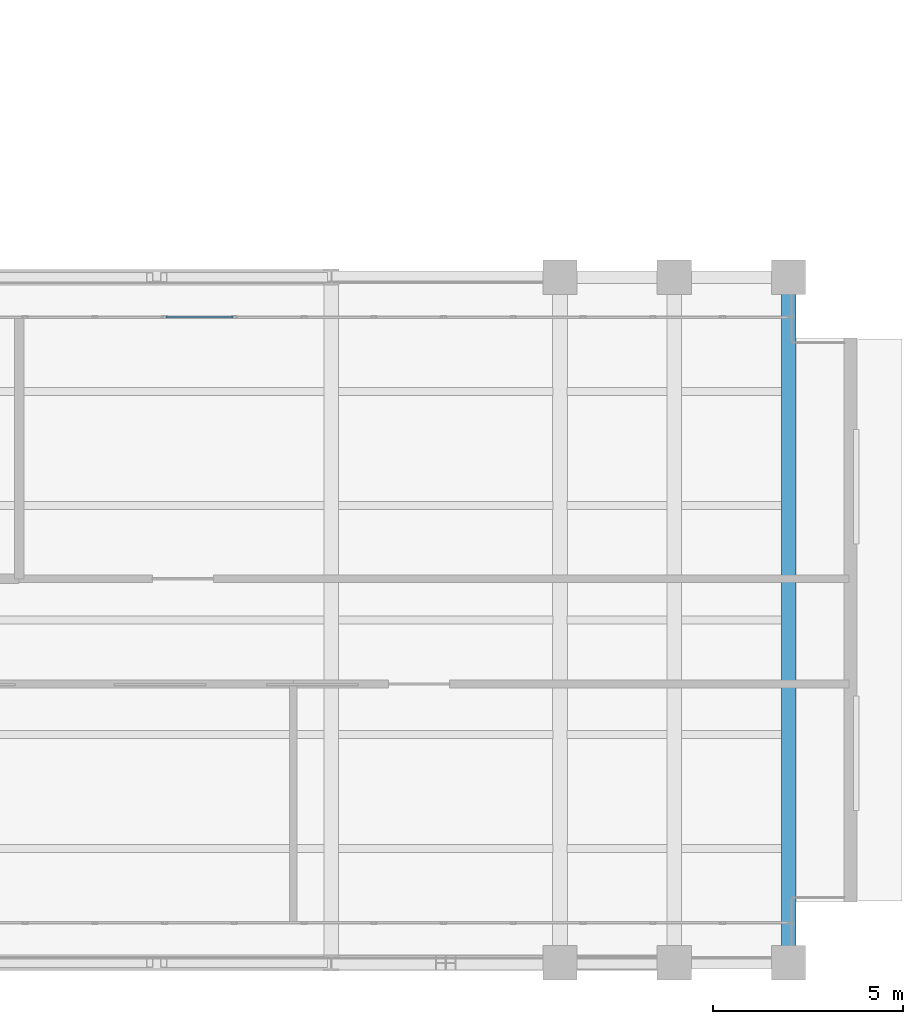
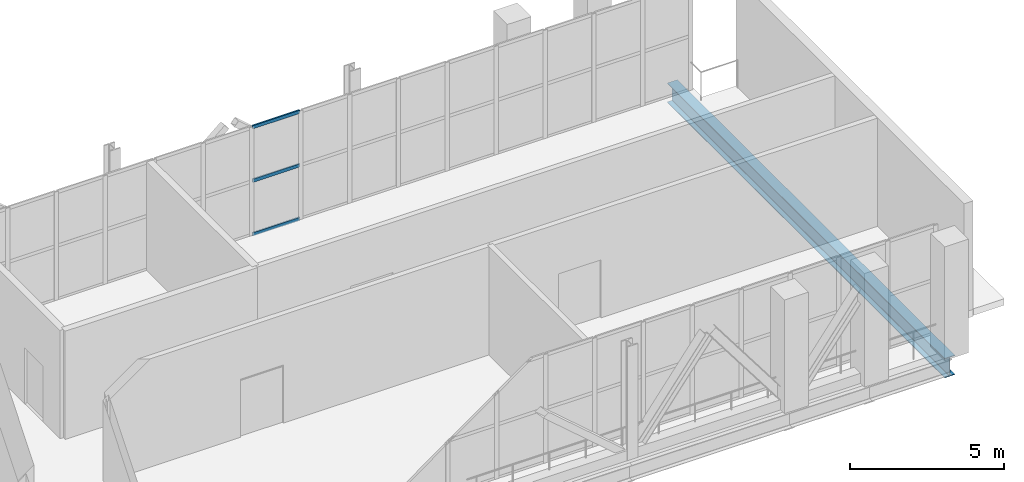
# One storey, part 16 of 26: 3 members, 1 beam, 1 element without a shape of its own.
"""IFC4 building model written with IfcOpenShell, lengths in metres."""

from ifc_helpers import new_model, si_unit, direction, frame, origin, origin_2d, place, context, subcontext, project, spatial, hollow_rectangle, i_section, extrude, material, layer, layer_set, material_profile, profile_set, type_object, element, aggregate, save


model = new_model("IFC4")

# Units and contexts
model_context = context("Model", 3, precision=1e-05, world=origin(), true_north=direction((0.0, 1.0)))
body_context = subcontext(model_context, "Body", "Model", "MODEL_VIEW")
ifc_project = project(units=[si_unit("LENGTHUNIT", "METRE"), si_unit("AREAUNIT", "SQUARE_METRE"), si_unit("VOLUMEUNIT", "CUBIC_METRE"), si_unit("PLANEANGLEUNIT", "RADIAN"), si_unit("MASSUNIT", "GRAM", prefix="KILO")], contexts=[model_context])

# Site, building, storey
site_placement = place(None, origin())
site = spatial("IfcSite", under=ifc_project, at=site_placement, CompositionType="ELEMENT")
building_placement = place(site_placement, origin())
building = spatial("IfcBuilding", under=site, at=building_placement, Name="Mawjdan Bourse Tower", CompositionType="ELEMENT")
storey_placement = place(building_placement, frame((0.0, 0.0, 226.800048828125)))
storey = spatial("IfcBuildingStorey", under=building, at=storey_placement, Name="L55", CompositionType="ELEMENT", Elevation=226.800048828125)

# Beam
ifc_material_1 = material(Name="Structural Steel S355", Category="steel")
ifc_material_profile_1 = material_profile(ifc_material_1, i_section(OverallWidth=0.381103515625, OverallDepth=0.77294921875, WebThickness=0.0166015625, FlangeThickness=0.027099609375, FilletRadius=0.021728515625, at=origin_2d()), Name="W30X173")
ifc_profile_set_1 = profile_set([ifc_material_profile_1], Name="Structural Steel S355")
beam_type = type_object("IfcBeamType", Name="GRD-W30X173", PredefinedType="BEAM", material=ifc_profile_set_1)
beam_placement = place(storey_placement, frame((54.0, 3.0, -0.66650390625), z_axis=(0.0, 1.0, 0.0), x_axis=(-1.0, 0.0, 0.0)))
element("IfcBeam", 1, at=beam_placement, inside=storey, type_object=beam_type, Name="L55 East Wing Clear-Span Girder 006", PredefinedType="BEAM", context=body_context, shape_type="SweptSolid", body=[
    extrude(i_section(OverallWidth=0.381103515625, OverallDepth=0.77294921875, WebThickness=0.0166015625, FlangeThickness=0.027099609375, FilletRadius=0.021728515625, at=origin_2d()), origin(), (0.0, 0.0, 1.0), 18.0),
])

# Curtain wall, members
ifc_material_2 = material(Name="Thermally Broken Aluminium and Solar Glass", Category="aluminium")
ifc_layer = layer(ifc_material_2, 0.219970703125)
ifc_layer_set = layer_set([ifc_layer], Name="Thermally Broken Aluminium and Solar Glass")
curtain_wall_type = type_object("IfcCurtainWallType", Name="CW-RFG", PredefinedType="USERDEFINED", material=ifc_layer_set)
curtain_wall_placement = place(storey_placement, origin())
curtain_wall = element("IfcCurtainWall", 2, at=curtain_wall_placement, inside=storey, type_object=curtain_wall_type, Name="L55 Refuge Band North Louvre Curtain Wall", ObjectType="REFUGE BAND LOUVRE SCREEN", PredefinedType="USERDEFINED")
ifc_material_3 = material(Name="Thermally Broken Anodised Aluminium", Category="aluminium")
ifc_material_profile_2 = material_profile(ifc_material_3, hollow_rectangle(XDim=0.054931640625, YDim=0.1298828125, WallThickness=0.00341796875, at=origin_2d()), Name="ALU-TRN-130X55")
ifc_profile_set_2 = profile_set([ifc_material_profile_2], Name="Thermally Broken Anodised Aluminium")
member_type = type_object("IfcMemberType", Name="TRN-ALU-TRN-130X55", PredefinedType="USERDEFINED", material=ifc_profile_set_2)
member_1_placement = place(storey_placement, frame((39.41748046875, 19.949951171875, 0.02734375), z_axis=(-1.0, 0.0, 0.0), x_axis=(0.0, -1.0, 0.0)))
member_1 = element("IfcMember", 3, at=member_1_placement, type_object=member_type, Name="CW-RFG-L55-RFG-N transom 9.1", ObjectType="TRANSOM", PredefinedType="USERDEFINED", context=body_context, shape_type="SweptSolid", body=[
    extrude(hollow_rectangle(XDim=0.054931640625, YDim=0.1298828125, WallThickness=0.00341796875, at=origin_2d()), origin(), (0.0, 0.0, 1.0), 1.76611328125),
])
member_2_placement = place(storey_placement, frame((39.41748046875, 19.949951171875, 2.14990234375), z_axis=(-1.0, 0.0, 0.0), x_axis=(0.0, -1.0, 0.0)))
member_2 = element("IfcMember", 4, at=member_2_placement, type_object=member_type, Name="CW-RFG-L55-RFG-N transom 9.2", ObjectType="TRANSOM", PredefinedType="USERDEFINED", context=body_context, shape_type="SweptSolid", body=[
    extrude(hollow_rectangle(XDim=0.054931640625, YDim=0.1298828125, WallThickness=0.00341796875, at=origin_2d()), origin(), (0.0, 0.0, 1.0), 1.76611328125),
])
member_3_placement = place(storey_placement, frame((39.41748046875, 19.949951171875, 4.2724609375), z_axis=(-1.0, 0.0, 0.0), x_axis=(0.0, -1.0, 0.0)))
member_3 = element("IfcMember", 5, at=member_3_placement, type_object=member_type, Name="CW-RFG-L55-RFG-N transom 9.3", ObjectType="TRANSOM", PredefinedType="USERDEFINED", context=body_context, shape_type="SweptSolid", body=[
    extrude(hollow_rectangle(XDim=0.054931640625, YDim=0.1298828125, WallThickness=0.00341796875, at=origin_2d()), origin(), (0.0, 0.0, 1.0), 1.76611328125),
])
aggregate(curtain_wall, [member_1, member_2, member_3])

save(model, "model.ifc")
